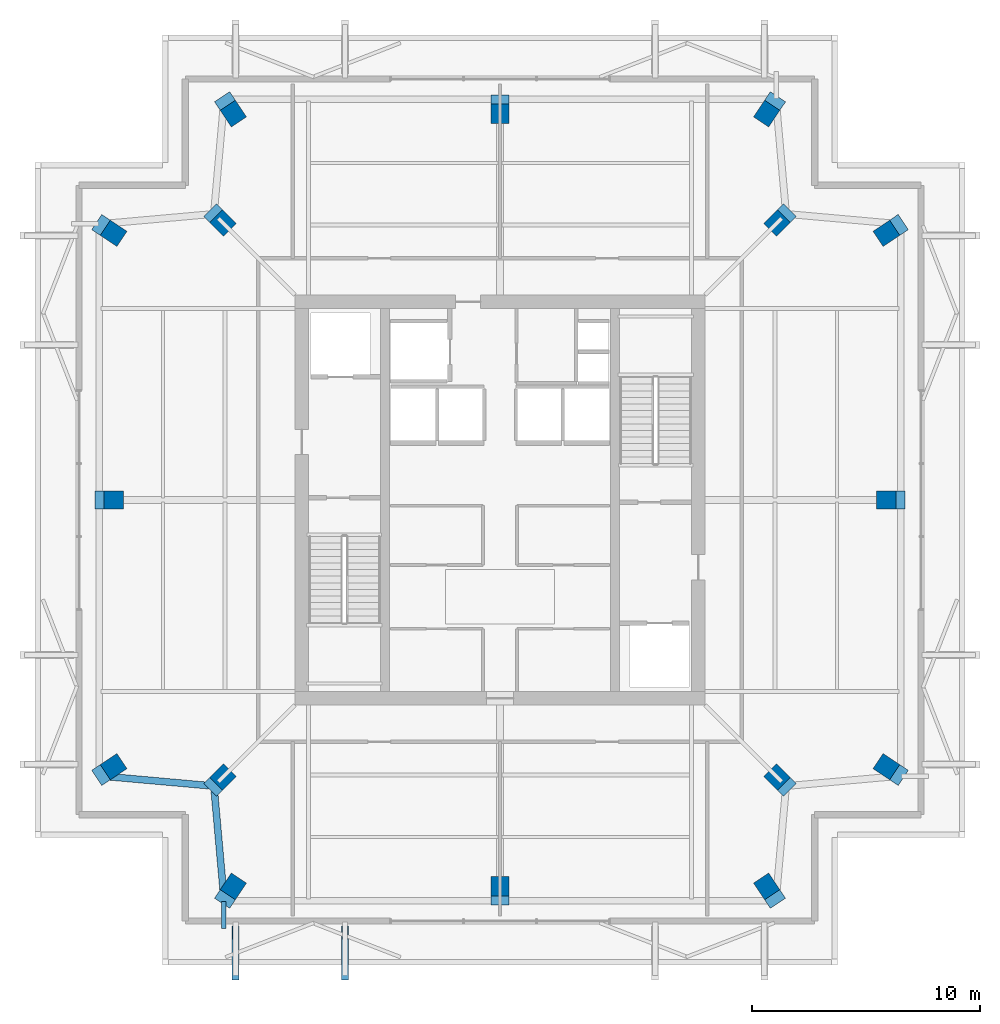
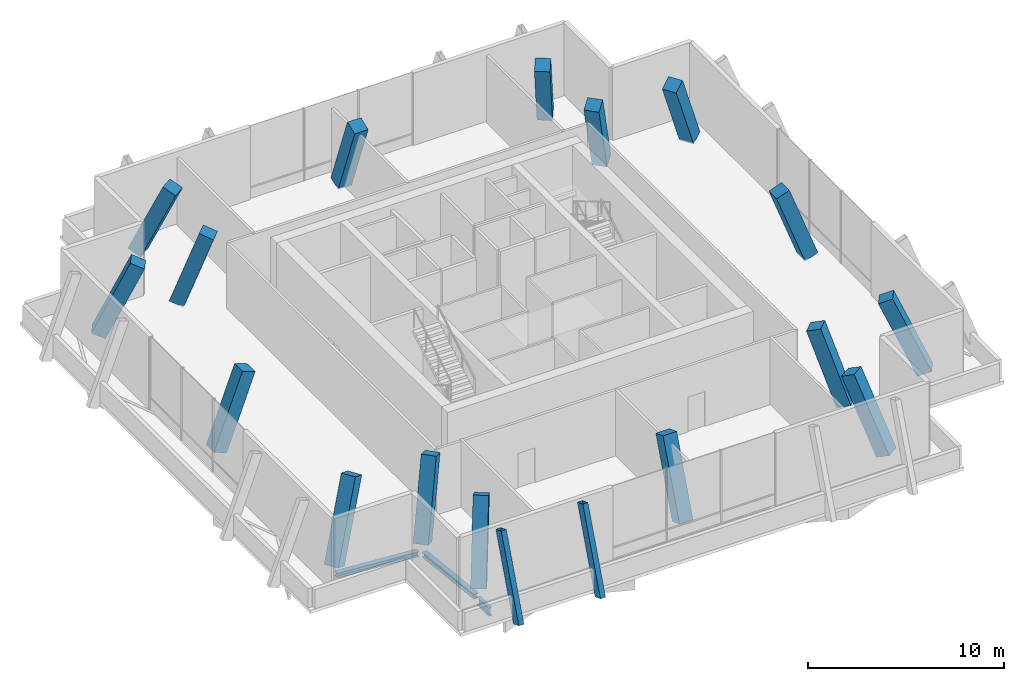
# One storey, part 1 of 18: 16 columns, 3 beams, 2 members.
"""IFC4 building model written with IfcOpenShell, lengths in metres."""

from ifc_helpers import new_model, si_unit, direction, frame, origin, origin_2d, place, context, subcontext, project, spatial, rectangle, hollow_rectangle, i_section, extrude, material, material_profile, profile_set, type_object, element, save


model = new_model("IFC4")

# Units and contexts
model_context = context("Model", 3, precision=1e-05, world=origin(), true_north=direction((0.0, 1.0)))
body_context = subcontext(model_context, "Body", "Model", "MODEL_VIEW")
ifc_project = project(units=[si_unit("LENGTHUNIT", "METRE"), si_unit("AREAUNIT", "SQUARE_METRE"), si_unit("VOLUMEUNIT", "CUBIC_METRE"), si_unit("PLANEANGLEUNIT", "RADIAN"), si_unit("MASSUNIT", "GRAM", prefix="KILO")], contexts=[model_context])

# Site, building, storey
site_placement = place(None, origin())
site = spatial("IfcSite", under=ifc_project, at=site_placement, CompositionType="ELEMENT")
building_placement = place(site_placement, origin())
building = spatial("IfcBuilding", under=site, at=building_placement, Name="Belovzor Exchange Tower", CompositionType="ELEMENT")
storey_placement = place(building_placement, frame((0.0, 0.0, 369.0)))
storey = spatial("IfcBuildingStorey", under=building, at=storey_placement, Name="L92", CompositionType="ELEMENT", Elevation=369.0)

# Columns
ifc_material_1 = material(Name="Concrete C50/60", Category="concrete")
ifc_material_profile_1 = material_profile(ifc_material_1, rectangle(XDim=0.800048828125, YDim=0.800048828125, at=origin_2d()))
ifc_profile_set_1 = profile_set([ifc_material_profile_1], Name="Concrete C50/60")
column_type = type_object("IfcColumnType", Name="Reinforced Concrete Tower Column 800x800", PredefinedType="COLUMN", material=ifc_profile_set_1)
column_1_placement = place(storey_placement, frame((16.81201171875, 11.41796875, 0.049072265625), z_axis=(0.227948550451, 0.341973056736, 0.911643508623), x_axis=(-0.832087899219, 0.554643784761, 0.0)))
element("IfcColumn", 1, at=column_1_placement, inside=storey, type_object=column_type, Name="COL-T080 Reinforced Concrete Tower Column 800x800", PredefinedType="COLUMN", context=body_context, shape_type="SweptSolid", body=[
    extrude(rectangle(XDim=0.800048828125, YDim=0.800048828125, at=origin_2d()), origin(), (0.0, 0.0, 1.0), 4.8603515625),
])
column_2_placement = place(storey_placement, frame((28.800048828125, 11.408935546875, 0.02490234375), z_axis=(0.0, 0.35111223817, 0.936333378774), x_axis=(-1.0, 0.0, 0.0)))
element("IfcColumn", 2, at=column_2_placement, inside=storey, type_object=column_type, Name="COL-T080 Reinforced Concrete Tower Column 800x800", PredefinedType="COLUMN", context=body_context, shape_type="SweptSolid", body=[
    extrude(rectangle(XDim=0.800048828125, YDim=0.800048828125, at=origin_2d()), origin(), (0.0, 0.0, 1.0), 4.7763671875),
])
for number, where, z_axis, x_axis, name in (
    (3, (40.7880859375, 11.41796875, 0.049072265625), (-0.22799617066, 0.341969140747, 0.911633069245), (-0.832031491738, -0.554728399089, 0.0), "COL-T080 Reinforced Concrete Tower Column 800x800"),
    (4, (46.181884765625, 16.81201171875, 0.049072265625), (-0.341928698833, 0.227952465889, 0.911659167787), (-0.554700196225, -0.832050294338, 0.0), "COL-T080 Reinforced Concrete Tower Column 800x800"),
):
    element("IfcColumn", number, at=place(storey_placement, frame(where, z_axis=z_axis, x_axis=x_axis)), inside=storey, type_object=column_type, Name=name, PredefinedType="COLUMN", context=body_context, shape_type="SweptSolid", body=[
        extrude(rectangle(XDim=0.800048828125, YDim=0.800048828125, at=origin_2d()), origin(), (0.0, 0.0, 1.0), 4.8603515625),
    ])
column_3_placement = place(storey_placement, frame((46.19091796875, 28.800048828125, 0.02490234375), z_axis=(-0.35111223817, 0.0, 0.936333378774), x_axis=(0.0, -1.0, 0.0)))
element("IfcColumn", 5, at=column_3_placement, inside=storey, type_object=column_type, Name="COL-T080 Reinforced Concrete Tower Column 800x800", PredefinedType="COLUMN", context=body_context, shape_type="SweptSolid", body=[
    extrude(rectangle(XDim=0.800048828125, YDim=0.800048828125, at=origin_2d()), origin(), (0.0, 0.0, 1.0), 4.7763671875),
])
for number, where, z_axis, x_axis, name in (
    (6, (46.181884765625, 40.7880859375, 0.049072265625), (-0.341924783218, -0.228000086826, 0.911648727871), (0.554784811509, -0.831993877934, 0.0), "COL-T080 Reinforced Concrete Tower Column 800x800"),
    (7, (40.7880859375, 46.181884765625, 0.049072265625), (-0.228000086826, -0.341924783218, 0.911648727871), (0.831993877934, -0.554784811509, 0.0), "COL-T080 Reinforced Concrete Tower Column 800x800"),
):
    element("IfcColumn", number, at=place(storey_placement, frame(where, z_axis=z_axis, x_axis=x_axis)), inside=storey, type_object=column_type, Name=name, PredefinedType="COLUMN", context=body_context, shape_type="SweptSolid", body=[
        extrude(rectangle(XDim=0.800048828125, YDim=0.800048828125, at=origin_2d()), origin(), (0.0, 0.0, 1.0), 4.8603515625),
    ])
column_4_placement = place(storey_placement, frame((28.800048828125, 46.19091796875, 0.02490234375), z_axis=(0.0, -0.35111223817, 0.936333378774), x_axis=(1.0, 0.0, 0.0)))
element("IfcColumn", 8, at=column_4_placement, inside=storey, type_object=column_type, Name="COL-T080 Reinforced Concrete Tower Column 800x800", PredefinedType="COLUMN", context=body_context, shape_type="SweptSolid", body=[
    extrude(rectangle(XDim=0.800048828125, YDim=0.800048828125, at=origin_2d()), origin(), (0.0, 0.0, 1.0), 4.7763671875),
])
for number, where, z_axis, x_axis, name in (
    (9, (16.81201171875, 46.181884765625, 0.049072265625), (0.227952465889, -0.341928698833, 0.911659167787), (0.832050294338, 0.554700196225, 0.0), "COL-T080 Reinforced Concrete Tower Column 800x800"),
    (10, (11.41796875, 40.7880859375, 0.049072265625), (0.341969140747, -0.22799617066, 0.911633069245), (0.554728399089, 0.832031491738, 0.0), "COL-T080 Reinforced Concrete Tower Column 800x800"),
):
    element("IfcColumn", number, at=place(storey_placement, frame(where, z_axis=z_axis, x_axis=x_axis)), inside=storey, type_object=column_type, Name=name, PredefinedType="COLUMN", context=body_context, shape_type="SweptSolid", body=[
        extrude(rectangle(XDim=0.800048828125, YDim=0.800048828125, at=origin_2d()), origin(), (0.0, 0.0, 1.0), 4.8603515625),
    ])
column_5_placement = place(storey_placement, frame((11.408935546875, 28.800048828125, 0.02490234375), z_axis=(0.35111223817, 0.0, 0.936333378774), x_axis=(0.0, 1.0, 0.0)))
element("IfcColumn", 11, at=column_5_placement, inside=storey, type_object=column_type, Name="COL-T080 Reinforced Concrete Tower Column 800x800", PredefinedType="COLUMN", context=body_context, shape_type="SweptSolid", body=[
    extrude(rectangle(XDim=0.800048828125, YDim=0.800048828125, at=origin_2d()), origin(), (0.0, 0.0, 1.0), 4.7763671875),
])
column_6_placement = place(storey_placement, frame((11.41796875, 16.81201171875, 0.049072265625), z_axis=(0.341973056736, 0.227948550451, 0.911643508623), x_axis=(-0.554643784761, 0.832087899219, 0.0)))
element("IfcColumn", 12, at=column_6_placement, inside=storey, type_object=column_type, Name="COL-T080 Reinforced Concrete Tower Column 800x800", PredefinedType="COLUMN", context=body_context, shape_type="SweptSolid", body=[
    extrude(rectangle(XDim=0.800048828125, YDim=0.800048828125, at=origin_2d()), origin(), (0.0, 0.0, 1.0), 4.8603515625),
])
for number, where, z_axis, x_axis, name in (
    (13, (16.35400390625, 16.35400390625, 0.01806640625), (0.235770777249, 0.235770777249, 0.942774777553), (-0.707106781187, 0.707106781187, 0.0), "COL-T080 Reinforced Concrete Tower Column 800x800"),
    (14, (41.24609375, 16.35400390625, 0.01806640625), (-0.235770777249, 0.235770777249, 0.942774777553), (-0.707106781187, -0.707106781187, 0.0), "COL-T080 Reinforced Concrete Tower Column 800x800"),
    (15, (41.24609375, 41.24609375, 0.01806640625), (-0.235770777249, -0.235770777249, 0.942774777553), (0.707106781187, -0.707106781187, 0.0), "COL-T080 Reinforced Concrete Tower Column 800x800"),
    (16, (16.35400390625, 41.24609375, 0.01806640625), (0.235770777249, -0.235770777249, 0.942774777553), (0.707106781187, 0.707106781187, 0.0), "COL-T080 Reinforced Concrete Tower Column 800x800"),
):
    element("IfcColumn", number, at=place(storey_placement, frame(where, z_axis=z_axis, x_axis=x_axis)), inside=storey, type_object=column_type, Name=name, PredefinedType="COLUMN", context=body_context, shape_type="SweptSolid", body=[
        extrude(rectangle(XDim=0.800048828125, YDim=0.800048828125, at=origin_2d()), origin(), (0.0, 0.0, 1.0), 4.7509765625),
    ])

# Beams
ifc_material_2 = material(Name="Steel S355", Category="steel")
ifc_material_profile_2 = material_profile(ifc_material_2, i_section(OverallWidth=0.300048828125, OverallDepth=0.300048828125, WebThickness=0.010986328125, FlangeThickness=0.01904296875, at=origin_2d()))
ifc_profile_set_2 = profile_set([ifc_material_profile_2], Name="Steel S355")
beam_type_1 = type_object("IfcBeamType", Name="Crown Plant Primary Beam HEB 300", PredefinedType="BEAM", material=ifc_profile_set_2)
for number, where, z_axis, x_axis, name in (
    (17, (16.27001953125, 16.031005859375, -0.449951171875), (0.088912236712, -0.996039464159, 0.0), (0.996039464159, 0.088912236712, 0.0), "FG-CR Crown Plant Primary Beam HEB 300"),
    (18, (11.43896484375, 16.679931640625, -0.449951171875), (0.996039464159, -0.088912236712, 0.0), (0.088912236712, 0.996039464159, 0.0), "FG-CR Crown Plant Primary Beam HEB 300"),
):
    element("IfcBeam", number, at=place(storey_placement, frame(where, z_axis=z_axis, x_axis=x_axis)), inside=storey, type_object=beam_type_1, Name=name, PredefinedType="BEAM", context=body_context, shape_type="SweptSolid", body=[
        extrude(i_section(OverallWidth=0.300048828125, OverallDepth=0.300048828125, WebThickness=0.010986328125, FlangeThickness=0.01904296875, at=origin_2d()), origin(), (0.0, 0.0, 1.0), 4.6103515625),
    ])
ifc_material_3 = material(Name="Steel S355", Category="steel")
ifc_material_profile_3 = material_profile(ifc_material_3, i_section(OverallWidth=0.199951171875, OverallDepth=0.5, WebThickness=0.01025390625, FlangeThickness=0.01611328125, at=origin_2d()))
ifc_profile_set_3 = profile_set([ifc_material_profile_3], Name="Steel S355")
beam_type_2 = type_object("IfcBeamType", Name="Planted Balcony Cantilever Beam IPE 500", PredefinedType="BEAM", material=ifc_profile_set_3)
beam_placement = place(storey_placement, frame((16.677978515625, 11.179931640625, -0.550048828125), z_axis=(0.0, -1.0, 0.0), x_axis=(1.0, 0.0, 0.0)))
element("IfcBeam", 19, at=beam_placement, inside=storey, type_object=beam_type_2, Name="BC-500 Planted Balcony Cantilever Beam IPE 500", PredefinedType="BEAM", context=body_context, shape_type="SweptSolid", body=[
    extrude(i_section(OverallWidth=0.199951171875, OverallDepth=0.5, WebThickness=0.01025390625, FlangeThickness=0.01611328125, at=origin_2d()), origin(), (0.0, 0.0, 1.0), 1.179931640625),
])

# Members
ifc_material_4 = material(Name="Extruded Architectural Terracotta on Steel S355 Carrier", Category="masonry")
ifc_material_profile_4 = material_profile(ifc_material_4, hollow_rectangle(XDim=0.300048828125, YDim=0.60009765625, WallThickness=0.01611328125, at=origin_2d()))
ifc_profile_set_4 = profile_set([ifc_material_profile_4], Name="Extruded Architectural Terracotta on Steel S355 Carrier")
member_type = type_object("IfcMemberType", Name="Upper Crown Terracotta Fin Assembly 550", PredefinedType="USERDEFINED", material=ifc_profile_set_4)
for number, where, z_axis, x_axis, name in (
    (20, (17.199951171875, 8.02490234375, -0.300048828125), (0.0, 0.351128660605, 0.936327220421), (-1.0, 0.0, 0.0), "FIN-TC055 Terracotta Facade Fin L92 S1"),
    (21, (22.0, 8.02490234375, -0.300048828125), (0.0, 0.351128660605, 0.936327220421), (-1.0, 0.0, 0.0), "FIN-TC055 Terracotta Facade Fin L92 S2"),
):
    element("IfcMember", number, at=place(storey_placement, frame(where, z_axis=z_axis, x_axis=x_axis)), inside=storey, type_object=member_type, Name=name, ObjectType="FIN", PredefinedType="USERDEFINED", context=body_context, shape_type="SweptSolid", body=[
        extrude(hollow_rectangle(XDim=0.300048828125, YDim=0.60009765625, WallThickness=0.01611328125, at=origin_2d()), origin(), (0.0, 0.0, 1.0), 5.12646484375),
    ])

save(model, "model.ifc")
